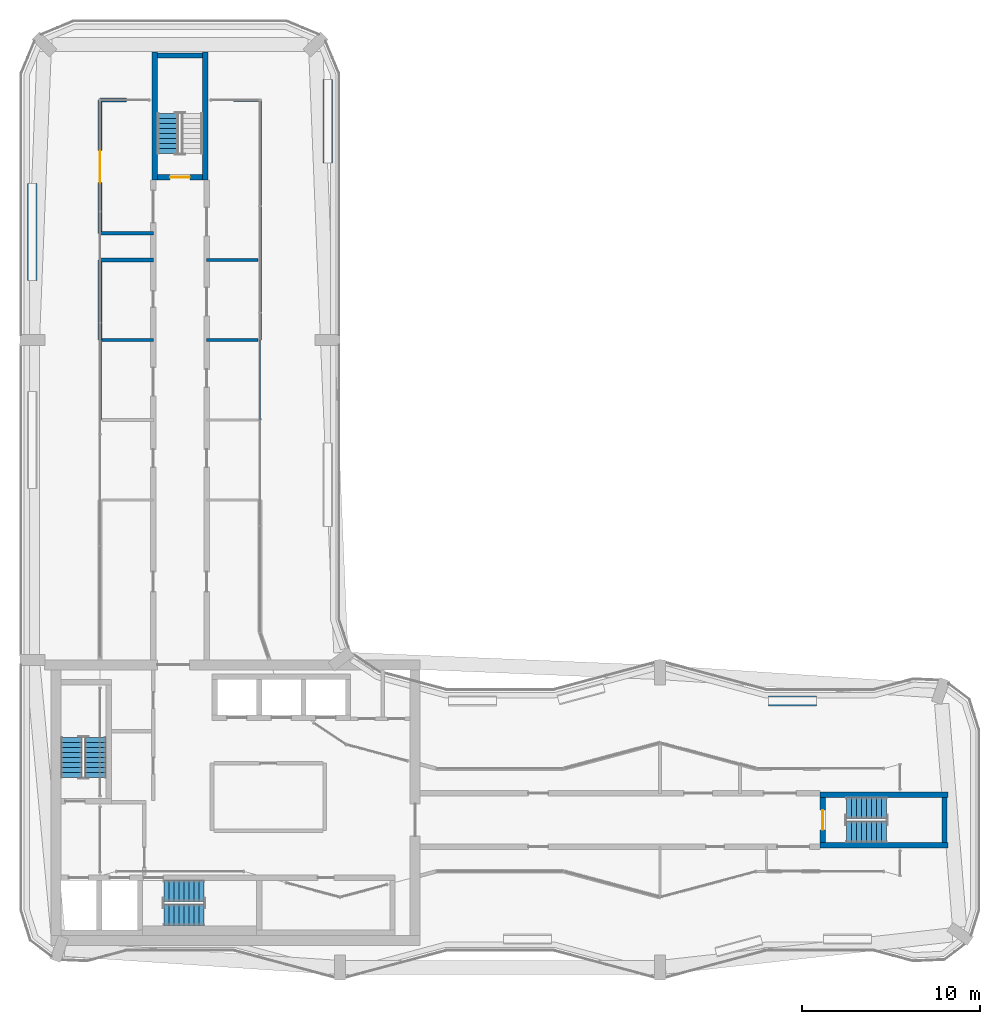
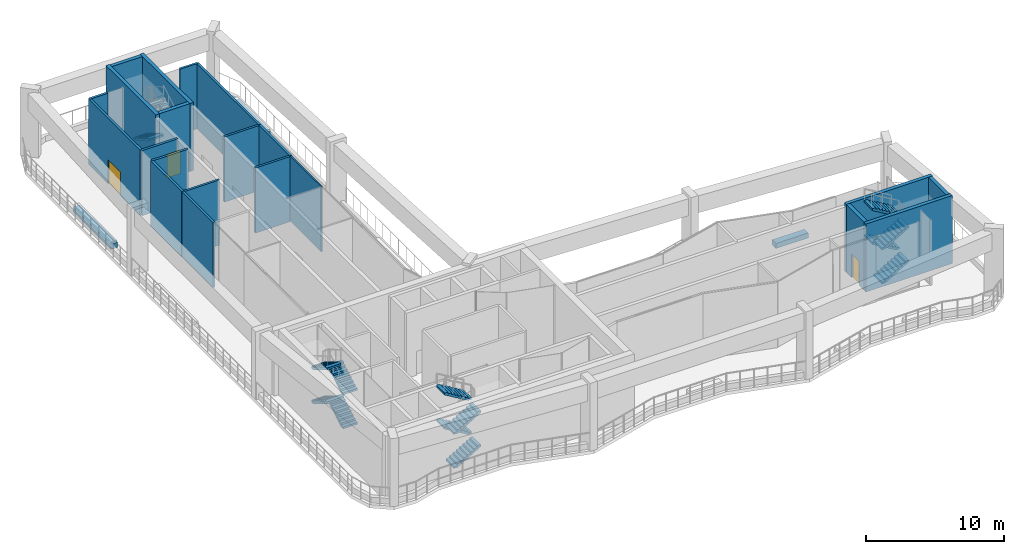
# One storey, part 12 of 17: 24 walls, 13 stair flights, 3 doors, 3 openings, 4 elements without a shape of their own.
"""IFC4 building model written with IfcOpenShell, lengths in metres."""

from ifc_helpers import new_model, si_unit, direction, frame, frame_2d, origin, place, context, subcontext, project, spatial, polyline, rectangle, outline, extrude, material, layer, layer_set, type_object, element, fill, aggregate, save


model = new_model("IFC4")

# Units and contexts
model_context = context("Model", 3, precision=1e-05, world=origin(), true_north=direction((0.0, 1.0)))
body_context = subcontext(model_context, "Body", "Model", "MODEL_VIEW")
ifc_project = project(units=[si_unit("LENGTHUNIT", "METRE"), si_unit("AREAUNIT", "SQUARE_METRE"), si_unit("VOLUMEUNIT", "CUBIC_METRE"), si_unit("PLANEANGLEUNIT", "RADIAN"), si_unit("MASSUNIT", "GRAM", prefix="KILO")], contexts=[model_context])

# Site, building, storey
site_placement = place(None, origin())
site = spatial("IfcSite", under=ifc_project, at=site_placement, CompositionType="ELEMENT")
building_placement = place(site_placement, origin())
building = spatial("IfcBuilding", under=site, at=building_placement, Name="Plateau Cross Towers", CompositionType="ELEMENT")
storey_placement = place(building_placement, frame((0.0, 0.0, 184.89990234375)))
storey = spatial("IfcBuildingStorey", under=building, at=storey_placement, Name="L48", CompositionType="ELEMENT", Elevation=184.89990234375)

# Walls
ifc_material_1 = material(Name="Dense masonry block, plastered, acoustic lining", Category="masonry")
ifc_layer_1 = layer(ifc_material_1, 0.179931640625)
ifc_layer_set_1 = layer_set([ifc_layer_1], Name="Dense masonry block, plastered, acoustic lining")
wall_type_1 = type_object("IfcWallType", Name="Plant room acoustic wall 180", PredefinedType="PARTITIONING", material=ifc_layer_set_1)
wall_1_placement = place(storey_placement, frame((13.5, 40.5, 0.0), z_axis=(0.0, 0.0, 1.0), x_axis=(0.0, 1.0, 0.0)))
element("IfcWall", 1, at=wall_1_placement, inside=storey, type_object=wall_type_1, Name="Partition wall", PredefinedType="PARTITIONING", context=body_context, shape_type="SweptSolid", body=[
    extrude(rectangle(XDim=9.0, YDim=0.179931640625, at=frame_2d((4.5, 0.0))), origin(), (0.0, 0.0, 1.0), 5.75),
])
wall_2_placement = place(storey_placement, frame((13.5, 49.5, 0.0), z_axis=(0.0, 0.0, 1.0), x_axis=(-1.0, 0.0, 0.0)))
element("IfcWall", 2, at=wall_2_placement, inside=storey, type_object=wall_type_1, Name="Partition wall", PredefinedType="PARTITIONING", context=body_context, shape_type="SweptSolid", body=[
    extrude(rectangle(XDim=1.5, YDim=0.179931640625, at=frame_2d((0.75, 0.0))), origin(), (0.0, 0.0, 1.0), 5.75),
])
for number, where, z_axis, x_axis, name in (
    (3, (13.5, 36.0, 0.0), (0.0, 0.0, 1.0), (0.0, 1.0, 0.0), "Partition wall"),
    (4, (4.5, 36.0, 0.0), (0.0, 0.0, 1.0), (0.0, -1.0, 0.0), "Partition wall"),
):
    element("IfcWall", number, at=place(storey_placement, frame(where, z_axis=z_axis, x_axis=x_axis)), inside=storey, type_object=wall_type_1, Name=name, PredefinedType="PARTITIONING", context=body_context, shape_type="SweptSolid", body=[
        extrude(rectangle(XDim=4.5, YDim=0.179931640625, at=frame_2d((2.25, 0.0))), origin(), (0.0, 0.0, 1.0), 5.75),
    ])
for number, where, z_axis, x_axis, name in (
    (5, (4.60009765625, 36.0, 0.0), (0.0, 0.0, 1.0), (1.0, 0.0, 0.0), "Partition wall"),
    (6, (10.5, 36.0, 0.0), (0.0, 0.0, 1.0), (1.0, 0.0, 0.0), "Partition wall"),
    (7, (10.5, 40.5, 0.0), (0.0, 0.0, 1.0), (1.0, 0.0, 0.0), "Partition wall"),
):
    element("IfcWall", number, at=place(storey_placement, frame(where, z_axis=z_axis, x_axis=x_axis)), inside=storey, type_object=wall_type_1, Name=name, PredefinedType="PARTITIONING", context=body_context, shape_type="SweptSolid", body=[
        extrude(rectangle(XDim=2.89990234375, YDim=0.179931640625, at=frame_2d((1.449951171875, 0.0))), origin(), (0.0, 0.0, 1.0), 5.75),
    ])
ifc_material_2 = material(Name="Concrete C30/37", Category="concrete")
ifc_layer_2 = layer(ifc_material_2, 0.550048828125)
ifc_layer_set_2 = layer_set([ifc_layer_2], Name="Concrete C30/37")
wall_type_2 = type_object("IfcWallType", Name="Planter upstand 550", PredefinedType="STANDARD", material=ifc_layer_set_2)
wall_3_placement = place(storey_placement, frame((0.695068359375, 39.350341796875, 0.0), z_axis=(0.0, 0.0, 1.0), x_axis=(0.0, 1.0, 0.0)))
element("IfcWall", 8, at=wall_3_placement, inside=storey, type_object=wall_type_2, Name="Planter 2", PredefinedType="STANDARD", context=body_context, shape_type="SweptSolid", body=[
    extrude(rectangle(XDim=5.455810546875, YDim=0.550048828125, at=frame_2d((2.72802734375, 0.0))), origin(), (0.0, 0.0, 1.0), 0.4501953125),
])
wall_4_placement = place(storey_placement, frame((17.304931640625, 50.661865234375, 0.0), z_axis=(0.0, 0.0, 1.0), x_axis=(0.0, -1.0, 0.0)))
element("IfcWall", 9, at=wall_4_placement, inside=storey, type_object=wall_type_2, Name="Planter 3", PredefinedType="STANDARD", context=body_context, shape_type="SweptSolid", body=[
    extrude(rectangle(XDim=4.71240234375, YDim=0.550048828125, at=frame_2d((2.356201171875, 0.0))), origin(), (0.0, 0.0, 1.0), 0.4501953125),
])
wall_5_placement = place(storey_placement, frame((42.108642578125, 15.697998046875, 0.0), z_axis=(0.0, 0.0, 1.0), x_axis=(1.0, 0.0, 0.0)))
element("IfcWall", 10, at=wall_5_placement, inside=storey, type_object=wall_type_2, Name="Planter 7", PredefinedType="STANDARD", context=body_context, shape_type="SweptSolid", body=[
    extrude(rectangle(XDim=2.69140625, YDim=0.550048828125, at=frame_2d((1.345703125, 0.0))), origin(), (0.0, 0.0, 1.0), 0.4501953125),
])
ifc_material_3 = material(Name="Gypsum board on steel studs", Category="steel")
ifc_layer_3 = layer(ifc_material_3, 0.199951171875)
ifc_layer_set_3 = layer_set([ifc_layer_3], Name="Gypsum board on steel studs")
wall_type_3 = type_object("IfcWallType", Name="Podium partition 200", PredefinedType="PARTITIONING", material=ifc_layer_set_3)
wall_6_placement = place(storey_placement, frame((6.0, 49.5, 0.0), z_axis=(0.0, 0.0, 1.0), x_axis=(-1.0, 0.0, 0.0)))
element("IfcWall", 11, at=wall_6_placement, inside=storey, type_object=wall_type_3, Name="Partition wall", PredefinedType="PARTITIONING", context=body_context, shape_type="SweptSolid", body=[
    extrude(rectangle(XDim=1.5, YDim=0.199951171875, at=frame_2d((0.75, 0.0))), origin(), (0.0, 0.0, 1.0), 5.75),
])

# Wall, opening, door
wall_7_placement = place(storey_placement, frame((4.5, 49.5, 0.0), z_axis=(0.0, 0.0, 1.0), x_axis=(0.0, -1.0, 0.0)))
wall_7 = element("IfcWall", 12, at=wall_7_placement, inside=storey, type_object=wall_type_3, Name="Partition wall", PredefinedType="PARTITIONING", context=body_context, shape_type="SweptSolid", body=[
    extrude(rectangle(XDim=7.5, YDim=0.199951171875, at=frame_2d((3.75, 0.0))), origin(), (0.0, 0.0, 1.0), 5.75),
])
opening_1_placement = place(wall_7_placement, frame((2.85009765625, 0.0, 0.0)))
opening_1 = element("IfcOpeningElement", 13, at=opening_1_placement, cuts=wall_7, Name="Opening 48-17", PredefinedType="OPENING", context=body_context, shape_type="SweptSolid", body=[
    extrude(rectangle(XDim=1.800048828125, YDim=2.10009765625, at=frame_2d((0.89990234375, 1.050048828125))), frame((0.0, 0.10986328125, 0.0), z_axis=(0.0, -1.0, 0.0), x_axis=(1.0, 0.0, 0.0)), (0.0, 0.0, 1.0), 0.219970703125),
])
ifc_material_4 = material(Name="Aluminium frame, toughened glass", Category="aluminium")
door_type_1 = type_object("IfcDoorType", Name="Podium door pair 1800", OperationType="NOTDEFINED", PredefinedType="DOOR", material=ifc_material_4)
door_1_placement = place(opening_1_placement, origin())
door_1 = element("IfcDoor", 14, at=door_1_placement, inside=storey, type_object=door_type_1, Name="Door 48-17", OperationType="DOUBLE_DOOR_SINGLE_SWING", OverallHeight=2.10009765625, OverallWidth=1.800048828125, PredefinedType="DOOR", context=body_context, shape_type="SweptSolid", body=[
    extrude(rectangle(XDim=1.800048828125, YDim=2.10009765625, at=frame_2d((0.89990234375, 1.050048828125))), frame((0.0, 0.02490234375, 0.0), z_axis=(0.0, -1.0, 0.0), x_axis=(1.0, 0.0, 0.0)), (0.0, 0.0, 1.0), 0.050048828125),
])
fill(opening_1, door_1)

# Walls
for number, where, z_axis, x_axis, name in (
    (15, (4.5, 42.0, 0.0), (0.0, 0.0, 1.0), (1.0, 0.0, 0.0), "Partition wall"),
    (16, (7.5, 40.5, 0.0), (0.0, 0.0, 1.0), (-1.0, 0.0, 0.0), "Partition wall"),
):
    element("IfcWall", number, at=place(storey_placement, frame(where, z_axis=z_axis, x_axis=x_axis)), inside=storey, type_object=wall_type_3, Name=name, PredefinedType="PARTITIONING", context=body_context, shape_type="SweptSolid", body=[
        extrude(rectangle(XDim=3.0, YDim=0.199951171875, at=frame_2d((1.5, 0.0))), origin(), (0.0, 0.0, 1.0), 5.75),
    ])
wall_8_placement = place(storey_placement, frame((4.5, 40.5, 0.0), z_axis=(0.0, 0.0, 1.0), x_axis=(0.0, -1.0, 0.0)))
element("IfcWall", 17, at=wall_8_placement, inside=storey, type_object=wall_type_3, Name="Partition wall", PredefinedType="PARTITIONING", context=body_context, shape_type="SweptSolid", body=[
    extrude(rectangle(XDim=4.5, YDim=0.199951171875, at=frame_2d((2.25, 0.0))), origin(), (0.0, 0.0, 1.0), 5.75),
])
ifc_material_5 = material(Name="Moisture-resistant board on steel studs, tiled one side", Category="steel")
ifc_layer_4 = layer(ifc_material_5, 0.1201171875)
ifc_layer_set_4 = layer_set([ifc_layer_4], Name="Moisture-resistant board on steel studs, tiled one side")
wall_type_4 = type_object("IfcWallType", Name="Sanitary partition 120", PredefinedType="PARTITIONING", material=ifc_layer_set_4)
wall_9_placement = place(storey_placement, frame((13.5, 31.5, 0.0), z_axis=(0.0, 0.0, 1.0), x_axis=(0.0, 1.0, 0.0)))
element("IfcWall", 18, at=wall_9_placement, inside=storey, type_object=wall_type_4, Name="Partition wall", PredefinedType="PARTITIONING", context=body_context, shape_type="SweptSolid", body=[
    extrude(rectangle(XDim=4.5, YDim=0.1201171875, at=frame_2d((2.25, 0.0))), origin(), (0.0, 0.0, 1.0), 5.75),
])

# Wall, opening, door
ifc_material_6 = material(Name="Concrete C60/75", Category="concrete")
ifc_layer_5 = layer(ifc_material_6, 0.300048828125)
ifc_layer_set_5 = layer_set([ifc_layer_5], Name="Concrete C60/75")
wall_type_5 = type_object("IfcWallType", Name="Stair tower wall 300", PredefinedType="SHEAR", material=ifc_layer_set_5)
wall_10_placement = place(storey_placement, frame((45.14990234375, 7.72509765625, 0.0), z_axis=(0.0, 0.0, 1.0), x_axis=(0.0, 1.0, 0.0)))
wall_10 = element("IfcWall", 19, at=wall_10_placement, inside=storey, type_object=wall_type_5, Name="A-end-E-W@L48", PredefinedType="SHEAR", context=body_context, shape_type="SweptSolid", body=[
    extrude(rectangle(XDim=2.5498046875, YDim=0.300048828125, at=frame_2d((1.27490234375, 0.0))), origin(), (0.0, 0.0, 1.0), 6.0),
])
opening_2_placement = place(wall_10_placement, frame((0.72509765625, 0.0, 0.0)))
opening_2 = element("IfcOpeningElement", 20, at=opening_2_placement, cuts=wall_10, Name="Opening SD", PredefinedType="OPENING", context=body_context, shape_type="SweptSolid", body=[
    extrude(rectangle(XDim=1.10009765625, YDim=2.10009765625, at=frame_2d((0.550048828125, 1.050048828125))), frame((0.0, 0.159912109375, 0.0), z_axis=(0.0, -1.0, 0.0), x_axis=(1.0, 0.0, 0.0)), (0.0, 0.0, 1.0), 0.320068359375),
])
ifc_material_7 = material(Name="Steel, fire-resisting leaf", Category="steel")
door_type_2 = type_object("IfcDoorType", Name="Stair door 1100", OperationType="NOTDEFINED", PredefinedType="DOOR", material=ifc_material_7)
door_2_placement = place(opening_2_placement, origin())
door_2 = element("IfcDoor", 21, at=door_2_placement, inside=storey, type_object=door_type_2, Name="Stair door SD", OperationType="SINGLE_SWING_LEFT", OverallHeight=2.10009765625, OverallWidth=1.10009765625, PredefinedType="DOOR", context=body_context, shape_type="SweptSolid", body=[
    extrude(rectangle(XDim=1.10009765625, YDim=2.10009765625, at=frame_2d((0.550048828125, 1.050048828125))), frame((0.0, 0.02490234375, 0.0), z_axis=(0.0, -1.0, 0.0), x_axis=(1.0, 0.0, 0.0)), (0.0, 0.0, 1.0), 0.050048828125),
])
fill(opening_2, door_2)

# Walls
wall_11_placement = place(storey_placement, frame((52.0, 7.72509765625, 0.0), z_axis=(0.0, 0.0, 1.0), x_axis=(0.0, 1.0, 0.0)))
element("IfcWall", 22, at=wall_11_placement, inside=storey, type_object=wall_type_5, Name="A-end-E-E@L48", PredefinedType="SHEAR", context=body_context, shape_type="SweptSolid", body=[
    extrude(rectangle(XDim=2.5498046875, YDim=0.300048828125, at=frame_2d((1.27490234375, 0.0))), origin(), (0.0, 0.0, 1.0), 6.0),
])
for number, where, z_axis, x_axis, name in (
    (23, (45.0, 7.574951171875, 0.0), (0.0, 0.0, 1.0), (1.0, 0.0, 0.0), "A-end-E-S@L48"),
    (24, (45.0, 10.425048828125, 0.0), (0.0, 0.0, 1.0), (1.0, 0.0, 0.0), "A-end-E-N@L48"),
):
    element("IfcWall", number, at=place(storey_placement, frame(where, z_axis=z_axis, x_axis=x_axis)), inside=storey, type_object=wall_type_5, Name=name, PredefinedType="SHEAR", context=body_context, shape_type="SweptSolid", body=[
        extrude(rectangle(XDim=7.199951171875, YDim=0.300048828125, at=frame_2d((3.60009765625, 0.0))), origin(), (0.0, 0.0, 1.0), 6.0),
    ])

# Wall, opening, door
wall_12_placement = place(storey_placement, frame((7.72509765625, 45.14990234375, 0.0), z_axis=(0.0, 0.0, 1.0), x_axis=(1.0, 0.0, 0.0)))
wall_12 = element("IfcWall", 25, at=wall_12_placement, inside=storey, type_object=wall_type_5, Name="A-end-N-S@L48", PredefinedType="SHEAR", context=body_context, shape_type="SweptSolid", body=[
    extrude(rectangle(XDim=2.5498046875, YDim=0.300048828125, at=frame_2d((1.27490234375, 0.0))), origin(), (0.0, 0.0, 1.0), 6.0),
])
opening_3_placement = place(wall_12_placement, frame((0.72509765625, 0.0, 0.0)))
opening_3 = element("IfcOpeningElement", 26, at=opening_3_placement, cuts=wall_12, Name="Opening SD", PredefinedType="OPENING", context=body_context, shape_type="SweptSolid", body=[
    extrude(rectangle(XDim=1.10009765625, YDim=2.10009765625, at=frame_2d((0.550048828125, 1.050048828125))), frame((0.0, 0.159912109375, 0.0), z_axis=(0.0, -1.0, 0.0), x_axis=(1.0, 0.0, 0.0)), (0.0, 0.0, 1.0), 0.320068359375),
])
door_3_placement = place(opening_3_placement, origin())
door_3 = element("IfcDoor", 27, at=door_3_placement, inside=storey, type_object=door_type_2, Name="Stair door SD", OperationType="SINGLE_SWING_LEFT", OverallHeight=2.10009765625, OverallWidth=1.10009765625, PredefinedType="DOOR", context=body_context, shape_type="SweptSolid", body=[
    extrude(rectangle(XDim=1.10009765625, YDim=2.10009765625, at=frame_2d((0.550048828125, 1.050048828125))), frame((0.0, 0.02490234375, 0.0), z_axis=(0.0, -1.0, 0.0), x_axis=(1.0, 0.0, 0.0)), (0.0, 0.0, 1.0), 0.050048828125),
])
fill(opening_3, door_3)

# Walls
wall_13_placement = place(storey_placement, frame((7.72509765625, 52.0, 0.0), z_axis=(0.0, 0.0, 1.0), x_axis=(1.0, 0.0, 0.0)))
element("IfcWall", 28, at=wall_13_placement, inside=storey, type_object=wall_type_5, Name="A-end-N-N@L48", PredefinedType="SHEAR", context=body_context, shape_type="SweptSolid", body=[
    extrude(rectangle(XDim=2.5498046875, YDim=0.300048828125, at=frame_2d((1.27490234375, 0.0))), origin(), (0.0, 0.0, 1.0), 6.0),
])
for number, where, z_axis, x_axis, name in (
    (29, (7.574951171875, 45.0, 0.0), (0.0, 0.0, 1.0), (0.0, 1.0, 0.0), "A-end-N-W@L48"),
    (30, (10.425048828125, 45.0, 0.0), (0.0, 0.0, 1.0), (0.0, 1.0, 0.0), "A-end-N-E@L48"),
):
    element("IfcWall", number, at=place(storey_placement, frame(where, z_axis=z_axis, x_axis=x_axis)), inside=storey, type_object=wall_type_5, Name=name, PredefinedType="SHEAR", context=body_context, shape_type="SweptSolid", body=[
        extrude(rectangle(XDim=7.199951171875, YDim=0.300048828125, at=frame_2d((3.60009765625, 0.0))), origin(), (0.0, 0.0, 1.0), 6.0),
    ])

# Stair, stair flights
ifc_material_8 = material(Name="Concrete C40/50", Category="concrete")
stair_type = type_object("IfcStairType", Name="ST-TWR", PredefinedType="HALF_TURN_STAIR", material=ifc_material_8)
stair_1_placement = place(storey_placement, origin())
stair_1 = element("IfcStair", 31, at=stair_1_placement, inside=storey, type_object=stair_type, Name="L48 Protected Exit Stair ST-1", PredefinedType="HALF_TURN_STAIR")
stair_flight_type = type_object("IfcStairFlightType", Name="SFL-RC", PredefinedType="STRAIGHT", material=ifc_material_8)
stair_flight_1_placement = place(storey_placement, frame((4.25, 11.39990234375, 0.0), z_axis=(0.0, 0.0, 1.0), x_axis=(0.0, 1.0, 0.0)))
stair_flight_1 = element("IfcStairFlight", 32, at=stair_flight_1_placement, type_object=stair_flight_type, Name="ST-1 flight 1", NumberOfRisers=9, NumberOfTreads=8, PredefinedType="STRAIGHT", RiserHeight=0.166666667, TreadLength=0.28, context=body_context, shape_type="SweptSolid", body=[
    extrude(outline(polyline([(-0.0048828125, -0.010009765625), (-0.0048828125, 0.0), (0.0, 0.0), (0.0, 0.166748046875), (0.280029296875, 0.166748046875), (0.280029296875, 0.333251953125), (0.56005859375, 0.333251953125), (0.56005859375, 0.5), (0.840087890625, 0.5), (0.840087890625, 0.666748046875), (1.1201171875, 0.666748046875), (1.1201171875, 0.833251953125), (1.39990234375, 0.833251953125), (1.39990234375, 1.0), (1.679931640625, 1.0), (1.679931640625, 1.166748046875), (1.9599609375, 1.166748046875), (1.9599609375, 1.333251953125), (2.239990234375, 1.333251953125), (2.2451171875, 1.3232421875), (2.2451171875, 1.158935546875), (2.239990234375, 1.158935546875), (0.29296875, 0.0), (0.02001953125, 0.0), (0.02001953125, -0.010009765625), (-0.0048828125, -0.010009765625)])), frame((0.0, 0.60009765625, 0.0), z_axis=(0.0, -1.0, 0.0), x_axis=(1.0, 0.0, 0.0)), (0.0, 0.0, 1.0), 1.199951171875),
])
stair_flight_2_placement = place(storey_placement, frame((2.89990234375, 13.639892578125, 1.5), z_axis=(0.0, 0.0, 1.0), x_axis=(0.0, -1.0, 0.0)))
stair_flight_2 = element("IfcStairFlight", 33, at=stair_flight_2_placement, type_object=stair_flight_type, Name="ST-1 flight 2", NumberOfRisers=9, NumberOfTreads=8, PredefinedType="STRAIGHT", RiserHeight=0.166666667, TreadLength=0.28, context=body_context, shape_type="SweptSolid", body=[
    extrude(outline(polyline([(-0.0048828125, -0.010009765625), (-0.0048828125, 0.0), (0.0, 0.0), (0.0, 0.166748046875), (0.280029296875, 0.166748046875), (0.280029296875, 0.333251953125), (0.56005859375, 0.333251953125), (0.56005859375, 0.5), (0.840087890625, 0.5), (0.840087890625, 0.666748046875), (1.1201171875, 0.666748046875), (1.1201171875, 0.833251953125), (1.39990234375, 0.833251953125), (1.39990234375, 1.0), (1.679931640625, 1.0), (1.679931640625, 1.166748046875), (1.9599609375, 1.166748046875), (1.9599609375, 1.333251953125), (2.239990234375, 1.333251953125), (2.2451171875, 1.3232421875), (2.2451171875, 1.158935546875), (2.239990234375, 1.158935546875), (0.29296875, 0.0), (0.02001953125, 0.0), (0.02001953125, -0.010009765625), (-0.0048828125, -0.010009765625)])), frame((0.0, 0.60009765625, 0.0), z_axis=(0.0, -1.0, 0.0), x_axis=(1.0, 0.0, 0.0)), (0.0, 0.0, 1.0), 1.199951171875),
])
stair_flight_3_placement = place(storey_placement, frame((4.25, 11.39990234375, 3.0), z_axis=(0.0, 0.0, 1.0), x_axis=(0.0, 1.0, 0.0)))
stair_flight_3 = element("IfcStairFlight", 34, at=stair_flight_3_placement, type_object=stair_flight_type, Name="ST-1 flight 3", NumberOfRisers=9, NumberOfTreads=8, PredefinedType="STRAIGHT", RiserHeight=0.166666667, TreadLength=0.28, context=body_context, shape_type="SweptSolid", body=[
    extrude(outline(polyline([(-0.0048828125, -0.010009765625), (-0.0048828125, 0.0), (0.0, 0.0), (0.0, 0.166748046875), (0.280029296875, 0.166748046875), (0.280029296875, 0.333251953125), (0.56005859375, 0.333251953125), (0.56005859375, 0.5), (0.840087890625, 0.5), (0.840087890625, 0.666748046875), (1.1201171875, 0.666748046875), (1.1201171875, 0.833251953125), (1.39990234375, 0.833251953125), (1.39990234375, 1.0), (1.679931640625, 1.0), (1.679931640625, 1.166748046875), (1.9599609375, 1.166748046875), (1.9599609375, 1.333251953125), (2.239990234375, 1.333251953125), (2.2451171875, 1.3232421875), (2.2451171875, 1.158935546875), (2.239990234375, 1.158935546875), (0.29296875, 0.0), (0.02001953125, 0.0), (0.02001953125, -0.010009765625), (-0.0048828125, -0.010009765625)])), frame((0.0, 0.60009765625, 0.0), z_axis=(0.0, -1.0, 0.0), x_axis=(1.0, 0.0, 0.0)), (0.0, 0.0, 1.0), 1.199951171875),
])
stair_flight_4_placement = place(storey_placement, frame((2.89990234375, 13.639892578125, 4.5), z_axis=(0.0, 0.0, 1.0), x_axis=(0.0, -1.0, 0.0)))
stair_flight_4 = element("IfcStairFlight", 35, at=stair_flight_4_placement, type_object=stair_flight_type, Name="ST-1 flight 4", NumberOfRisers=9, NumberOfTreads=8, PredefinedType="STRAIGHT", RiserHeight=0.166666667, TreadLength=0.28, context=body_context, shape_type="SweptSolid", body=[
    extrude(outline(polyline([(-0.0048828125, -0.010009765625), (-0.0048828125, 0.0), (0.0, 0.0), (0.0, 0.166748046875), (0.280029296875, 0.166748046875), (0.280029296875, 0.333251953125), (0.56005859375, 0.333251953125), (0.56005859375, 0.5), (0.840087890625, 0.5), (0.840087890625, 0.666748046875), (1.1201171875, 0.666748046875), (1.1201171875, 0.833251953125), (1.39990234375, 0.833251953125), (1.39990234375, 1.0), (1.679931640625, 1.0), (1.679931640625, 1.166748046875), (1.9599609375, 1.166748046875), (1.9599609375, 1.333251953125), (2.239990234375, 1.333251953125), (2.2451171875, 1.3232421875), (2.2451171875, 1.158935546875), (2.239990234375, 1.158935546875), (0.29296875, 0.0), (0.02001953125, 0.0), (0.02001953125, -0.010009765625), (-0.0048828125, -0.010009765625)])), frame((0.0, 0.60009765625, 0.0), z_axis=(0.0, -1.0, 0.0), x_axis=(1.0, 0.0, 0.0)), (0.0, 0.0, 1.0), 1.199951171875),
])
aggregate(stair_1, [stair_flight_1, stair_flight_2, stair_flight_3, stair_flight_4])

stair_2_placement = place(storey_placement, origin())
stair_2 = element("IfcStair", 36, at=stair_2_placement, inside=storey, type_object=stair_type, Name="L48 Protected Exit Stair ST-2", PredefinedType="HALF_TURN_STAIR")
stair_flight_5_placement = place(storey_placement, frame((8.10009765625, 3.64990234375, 0.0), z_axis=(0.0, 0.0, 1.0), x_axis=(1.0, 0.0, 0.0)))
stair_flight_5 = element("IfcStairFlight", 37, at=stair_flight_5_placement, type_object=stair_flight_type, Name="ST-2 flight 1", NumberOfRisers=9, NumberOfTreads=8, PredefinedType="STRAIGHT", RiserHeight=0.166666667, TreadLength=0.28, context=body_context, shape_type="SweptSolid", body=[
    extrude(outline(polyline([(-0.0048828125, -0.010009765625), (-0.0048828125, 0.0), (0.0, 0.0), (0.0, 0.166748046875), (0.280029296875, 0.166748046875), (0.280029296875, 0.333251953125), (0.56005859375, 0.333251953125), (0.56005859375, 0.5), (0.840087890625, 0.5), (0.840087890625, 0.666748046875), (1.1201171875, 0.666748046875), (1.1201171875, 0.833251953125), (1.39990234375, 0.833251953125), (1.39990234375, 1.0), (1.679931640625, 1.0), (1.679931640625, 1.166748046875), (1.9599609375, 1.166748046875), (1.9599609375, 1.333251953125), (2.239990234375, 1.333251953125), (2.2451171875, 1.3232421875), (2.2451171875, 1.158935546875), (2.239990234375, 1.158935546875), (0.29296875, 0.0), (0.02001953125, 0.0), (0.02001953125, -0.010009765625), (-0.0048828125, -0.010009765625)])), frame((0.0, 0.60009765625, 0.0), z_axis=(0.0, -1.0, 0.0), x_axis=(1.0, 0.0, 0.0)), (0.0, 0.0, 1.0), 1.199951171875),
])
stair_flight_6_placement = place(storey_placement, frame((10.340087890625, 5.0, 1.5), z_axis=(0.0, 0.0, 1.0), x_axis=(-1.0, 0.0, 0.0)))
stair_flight_6 = element("IfcStairFlight", 38, at=stair_flight_6_placement, type_object=stair_flight_type, Name="ST-2 flight 2", NumberOfRisers=9, NumberOfTreads=8, PredefinedType="STRAIGHT", RiserHeight=0.166666667, TreadLength=0.28, context=body_context, shape_type="SweptSolid", body=[
    extrude(outline(polyline([(-0.0048828125, -0.010009765625), (-0.0048828125, 0.0), (0.0, 0.0), (0.0, 0.166748046875), (0.280029296875, 0.166748046875), (0.280029296875, 0.333251953125), (0.56005859375, 0.333251953125), (0.56005859375, 0.5), (0.840087890625, 0.5), (0.840087890625, 0.666748046875), (1.1201171875, 0.666748046875), (1.1201171875, 0.833251953125), (1.39990234375, 0.833251953125), (1.39990234375, 1.0), (1.679931640625, 1.0), (1.679931640625, 1.166748046875), (1.9599609375, 1.166748046875), (1.9599609375, 1.333251953125), (2.239990234375, 1.333251953125), (2.2451171875, 1.3232421875), (2.2451171875, 1.158935546875), (2.239990234375, 1.158935546875), (0.29296875, 0.0), (0.02001953125, 0.0), (0.02001953125, -0.010009765625), (-0.0048828125, -0.010009765625)])), frame((0.0, 0.60009765625, 0.0), z_axis=(0.0, -1.0, 0.0), x_axis=(1.0, 0.0, 0.0)), (0.0, 0.0, 1.0), 1.199951171875),
])
stair_flight_7_placement = place(storey_placement, frame((8.10009765625, 3.64990234375, 3.0), z_axis=(0.0, 0.0, 1.0), x_axis=(1.0, 0.0, 0.0)))
stair_flight_7 = element("IfcStairFlight", 39, at=stair_flight_7_placement, type_object=stair_flight_type, Name="ST-2 flight 3", NumberOfRisers=9, NumberOfTreads=8, PredefinedType="STRAIGHT", RiserHeight=0.166666667, TreadLength=0.28, context=body_context, shape_type="SweptSolid", body=[
    extrude(outline(polyline([(-0.0048828125, -0.010009765625), (-0.0048828125, 0.0), (0.0, 0.0), (0.0, 0.166748046875), (0.280029296875, 0.166748046875), (0.280029296875, 0.333251953125), (0.56005859375, 0.333251953125), (0.56005859375, 0.5), (0.840087890625, 0.5), (0.840087890625, 0.666748046875), (1.1201171875, 0.666748046875), (1.1201171875, 0.833251953125), (1.39990234375, 0.833251953125), (1.39990234375, 1.0), (1.679931640625, 1.0), (1.679931640625, 1.166748046875), (1.9599609375, 1.166748046875), (1.9599609375, 1.333251953125), (2.239990234375, 1.333251953125), (2.2451171875, 1.3232421875), (2.2451171875, 1.158935546875), (2.239990234375, 1.158935546875), (0.29296875, 0.0), (0.02001953125, 0.0), (0.02001953125, -0.010009765625), (-0.0048828125, -0.010009765625)])), frame((0.0, 0.60009765625, 0.0), z_axis=(0.0, -1.0, 0.0), x_axis=(1.0, 0.0, 0.0)), (0.0, 0.0, 1.0), 1.199951171875),
])
stair_flight_8_placement = place(storey_placement, frame((10.340087890625, 5.0, 4.5), z_axis=(0.0, 0.0, 1.0), x_axis=(-1.0, 0.0, 0.0)))
stair_flight_8 = element("IfcStairFlight", 40, at=stair_flight_8_placement, type_object=stair_flight_type, Name="ST-2 flight 4", NumberOfRisers=9, NumberOfTreads=8, PredefinedType="STRAIGHT", RiserHeight=0.166666667, TreadLength=0.28, context=body_context, shape_type="SweptSolid", body=[
    extrude(outline(polyline([(-0.0048828125, -0.010009765625), (-0.0048828125, 0.0), (0.0, 0.0), (0.0, 0.166748046875), (0.280029296875, 0.166748046875), (0.280029296875, 0.333251953125), (0.56005859375, 0.333251953125), (0.56005859375, 0.5), (0.840087890625, 0.5), (0.840087890625, 0.666748046875), (1.1201171875, 0.666748046875), (1.1201171875, 0.833251953125), (1.39990234375, 0.833251953125), (1.39990234375, 1.0), (1.679931640625, 1.0), (1.679931640625, 1.166748046875), (1.9599609375, 1.166748046875), (1.9599609375, 1.333251953125), (2.239990234375, 1.333251953125), (2.2451171875, 1.3232421875), (2.2451171875, 1.158935546875), (2.239990234375, 1.158935546875), (0.29296875, 0.0), (0.02001953125, 0.0), (0.02001953125, -0.010009765625), (-0.0048828125, -0.010009765625)])), frame((0.0, 0.60009765625, 0.0), z_axis=(0.0, -1.0, 0.0), x_axis=(1.0, 0.0, 0.0)), (0.0, 0.0, 1.0), 1.199951171875),
])
aggregate(stair_2, [stair_flight_5, stair_flight_6, stair_flight_7, stair_flight_8])

stair_3_placement = place(storey_placement, origin())
stair_3 = element("IfcStair", 41, at=stair_3_placement, inside=storey, type_object=stair_type, Name="L48 Protected Exit Stair E", PredefinedType="HALF_TURN_STAIR")
stair_flight_9_placement = place(storey_placement, frame((46.5, 8.324951171875, 0.0), z_axis=(0.0, 0.0, 1.0), x_axis=(1.0, 0.0, 0.0)))
stair_flight_9 = element("IfcStairFlight", 42, at=stair_flight_9_placement, type_object=stair_flight_type, Name="ES-E flight 1", NumberOfRisers=9, NumberOfTreads=8, PredefinedType="STRAIGHT", RiserHeight=0.166666667, TreadLength=0.28, context=body_context, shape_type="SweptSolid", body=[
    extrude(outline(polyline([(-0.0048828125, -0.010009765625), (-0.0048828125, 0.0), (0.0, 0.0), (0.0, 0.166748046875), (0.280029296875, 0.166748046875), (0.280029296875, 0.333251953125), (0.56005859375, 0.333251953125), (0.56005859375, 0.5), (0.840087890625, 0.5), (0.840087890625, 0.666748046875), (1.1201171875, 0.666748046875), (1.1201171875, 0.833251953125), (1.39990234375, 0.833251953125), (1.39990234375, 1.0), (1.679931640625, 1.0), (1.679931640625, 1.166748046875), (1.9599609375, 1.166748046875), (1.9599609375, 1.333251953125), (2.239990234375, 1.333251953125), (2.2451171875, 1.3232421875), (2.2451171875, 1.158935546875), (2.239990234375, 1.158935546875), (0.29296875, 0.0), (0.02001953125, 0.0), (0.02001953125, -0.010009765625), (-0.0048828125, -0.010009765625)])), frame((0.0, 0.60009765625, 0.0), z_axis=(0.0, -1.0, 0.0), x_axis=(1.0, 0.0, 0.0)), (0.0, 0.0, 1.0), 1.199951171875),
])
stair_flight_10_placement = place(storey_placement, frame((48.739990234375, 9.675048828125, 1.5), z_axis=(0.0, 0.0, 1.0), x_axis=(-1.0, 0.0, 0.0)))
stair_flight_10 = element("IfcStairFlight", 43, at=stair_flight_10_placement, type_object=stair_flight_type, Name="ES-E flight 2", NumberOfRisers=9, NumberOfTreads=8, PredefinedType="STRAIGHT", RiserHeight=0.166666667, TreadLength=0.28, context=body_context, shape_type="SweptSolid", body=[
    extrude(outline(polyline([(-0.0048828125, -0.010009765625), (-0.0048828125, 0.0), (0.0, 0.0), (0.0, 0.166748046875), (0.280029296875, 0.166748046875), (0.280029296875, 0.333251953125), (0.56005859375, 0.333251953125), (0.56005859375, 0.5), (0.840087890625, 0.5), (0.840087890625, 0.666748046875), (1.1201171875, 0.666748046875), (1.1201171875, 0.833251953125), (1.39990234375, 0.833251953125), (1.39990234375, 1.0), (1.679931640625, 1.0), (1.679931640625, 1.166748046875), (1.9599609375, 1.166748046875), (1.9599609375, 1.333251953125), (2.239990234375, 1.333251953125), (2.2451171875, 1.3232421875), (2.2451171875, 1.158935546875), (2.239990234375, 1.158935546875), (0.29296875, 0.0), (0.02001953125, 0.0), (0.02001953125, -0.010009765625), (-0.0048828125, -0.010009765625)])), frame((0.0, 0.60009765625, 0.0), z_axis=(0.0, -1.0, 0.0), x_axis=(1.0, 0.0, 0.0)), (0.0, 0.0, 1.0), 1.199951171875),
])
stair_flight_11_placement = place(storey_placement, frame((46.5, 8.324951171875, 3.0), z_axis=(0.0, 0.0, 1.0), x_axis=(1.0, 0.0, 0.0)))
stair_flight_11 = element("IfcStairFlight", 44, at=stair_flight_11_placement, type_object=stair_flight_type, Name="ES-E flight 3", NumberOfRisers=9, NumberOfTreads=8, PredefinedType="STRAIGHT", RiserHeight=0.166666667, TreadLength=0.28, context=body_context, shape_type="SweptSolid", body=[
    extrude(outline(polyline([(-0.0048828125, -0.010009765625), (-0.0048828125, 0.0), (0.0, 0.0), (0.0, 0.166748046875), (0.280029296875, 0.166748046875), (0.280029296875, 0.333251953125), (0.56005859375, 0.333251953125), (0.56005859375, 0.5), (0.840087890625, 0.5), (0.840087890625, 0.666748046875), (1.1201171875, 0.666748046875), (1.1201171875, 0.833251953125), (1.39990234375, 0.833251953125), (1.39990234375, 1.0), (1.679931640625, 1.0), (1.679931640625, 1.166748046875), (1.9599609375, 1.166748046875), (1.9599609375, 1.333251953125), (2.239990234375, 1.333251953125), (2.2451171875, 1.3232421875), (2.2451171875, 1.158935546875), (2.239990234375, 1.158935546875), (0.29296875, 0.0), (0.02001953125, 0.0), (0.02001953125, -0.010009765625), (-0.0048828125, -0.010009765625)])), frame((0.0, 0.60009765625, 0.0), z_axis=(0.0, -1.0, 0.0), x_axis=(1.0, 0.0, 0.0)), (0.0, 0.0, 1.0), 1.199951171875),
])
stair_flight_12_placement = place(storey_placement, frame((48.739990234375, 9.675048828125, 4.5), z_axis=(0.0, 0.0, 1.0), x_axis=(-1.0, 0.0, 0.0)))
stair_flight_12 = element("IfcStairFlight", 45, at=stair_flight_12_placement, type_object=stair_flight_type, Name="ES-E flight 4", NumberOfRisers=9, NumberOfTreads=8, PredefinedType="STRAIGHT", RiserHeight=0.166666667, TreadLength=0.28, context=body_context, shape_type="SweptSolid", body=[
    extrude(outline(polyline([(-0.0048828125, -0.010009765625), (-0.0048828125, 0.0), (0.0, 0.0), (0.0, 0.166748046875), (0.280029296875, 0.166748046875), (0.280029296875, 0.333251953125), (0.56005859375, 0.333251953125), (0.56005859375, 0.5), (0.840087890625, 0.5), (0.840087890625, 0.666748046875), (1.1201171875, 0.666748046875), (1.1201171875, 0.833251953125), (1.39990234375, 0.833251953125), (1.39990234375, 1.0), (1.679931640625, 1.0), (1.679931640625, 1.166748046875), (1.9599609375, 1.166748046875), (1.9599609375, 1.333251953125), (2.239990234375, 1.333251953125), (2.2451171875, 1.3232421875), (2.2451171875, 1.158935546875), (2.239990234375, 1.158935546875), (0.29296875, 0.0), (0.02001953125, 0.0), (0.02001953125, -0.010009765625), (-0.0048828125, -0.010009765625)])), frame((0.0, 0.60009765625, 0.0), z_axis=(0.0, -1.0, 0.0), x_axis=(1.0, 0.0, 0.0)), (0.0, 0.0, 1.0), 1.199951171875),
])
aggregate(stair_3, [stair_flight_9, stair_flight_10, stair_flight_11, stair_flight_12])

# Stair, stair flight
stair_4_placement = place(storey_placement, origin())
stair_4 = element("IfcStair", 46, at=stair_4_placement, inside=storey, type_object=stair_type, Name="L48 Protected Exit Stair N", PredefinedType="HALF_TURN_STAIR")
stair_flight_13_placement = place(storey_placement, frame((8.324951171875, 48.739990234375, 1.5), z_axis=(0.0, 0.0, 1.0), x_axis=(0.0, -1.0, 0.0)))
stair_flight_13 = element("IfcStairFlight", 47, at=stair_flight_13_placement, type_object=stair_flight_type, Name="ES-N flight 2", NumberOfRisers=9, NumberOfTreads=8, PredefinedType="STRAIGHT", RiserHeight=0.166666667, TreadLength=0.28, context=body_context, shape_type="SweptSolid", body=[
    extrude(outline(polyline([(-0.0048828125, -0.010009765625), (-0.0048828125, 0.0), (0.0, 0.0), (0.0, 0.166748046875), (0.280029296875, 0.166748046875), (0.280029296875, 0.333251953125), (0.56005859375, 0.333251953125), (0.56005859375, 0.5), (0.840087890625, 0.5), (0.840087890625, 0.666748046875), (1.1201171875, 0.666748046875), (1.1201171875, 0.833251953125), (1.39990234375, 0.833251953125), (1.39990234375, 1.0), (1.679931640625, 1.0), (1.679931640625, 1.166748046875), (1.9599609375, 1.166748046875), (1.9599609375, 1.333251953125), (2.239990234375, 1.333251953125), (2.2451171875, 1.3232421875), (2.2451171875, 1.158935546875), (2.239990234375, 1.158935546875), (0.29296875, 0.0), (0.02001953125, 0.0), (0.02001953125, -0.010009765625), (-0.0048828125, -0.010009765625)])), frame((0.0, 0.60009765625, 0.0), z_axis=(0.0, -1.0, 0.0), x_axis=(1.0, 0.0, 0.0)), (0.0, 0.0, 1.0), 1.199951171875),
])
aggregate(stair_4, [stair_flight_13])

save(model, "model.ifc")
